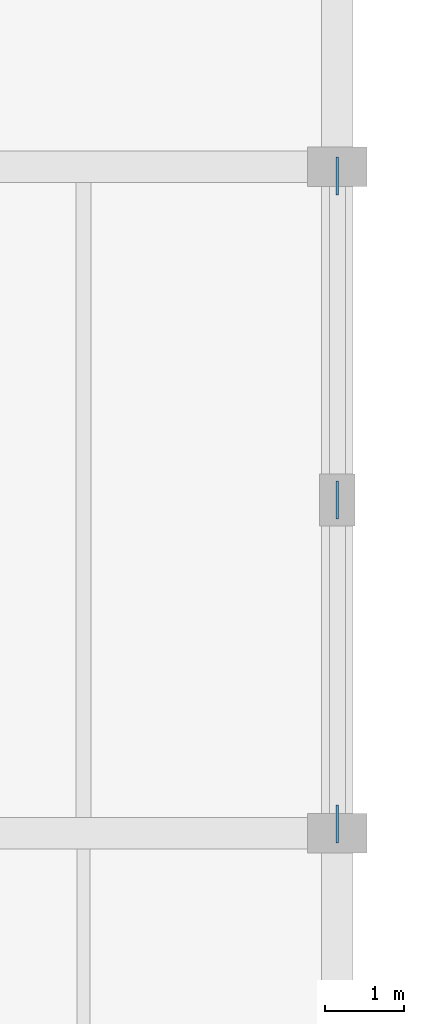
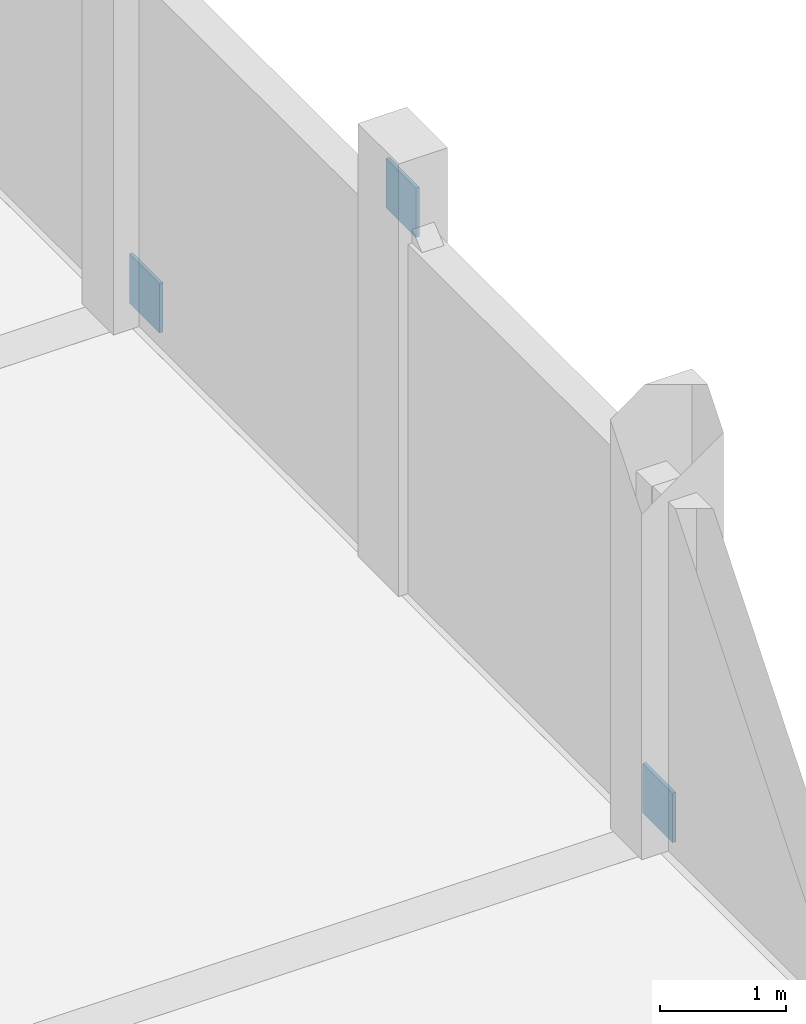
# One storey, part 34 of 57: 3 plates.
"""IFC4 building model written with IfcOpenShell, lengths in metres."""

from ifc_helpers import new_model, si_unit, direction, frame, origin, origin_2d, place, context, subcontext, project, spatial, rectangle, extrude, material, layer, layer_set, type_object, element, save


model = new_model("IFC4")

# Units and contexts
model_context = context("Model", 3, precision=1e-05, world=origin(), true_north=direction((0.0, 1.0)))
body_context = subcontext(model_context, "Body", "Model", "MODEL_VIEW")
ifc_project = project(units=[si_unit("LENGTHUNIT", "METRE"), si_unit("AREAUNIT", "SQUARE_METRE"), si_unit("VOLUMEUNIT", "CUBIC_METRE"), si_unit("PLANEANGLEUNIT", "RADIAN"), si_unit("MASSUNIT", "GRAM", prefix="KILO")], contexts=[model_context])

# Site, building, storey
site_placement = place(None, origin())
site = spatial("IfcSite", under=ifc_project, at=site_placement, CompositionType="ELEMENT")
building_placement = place(site_placement, origin())
building = spatial("IfcBuilding", under=site, at=building_placement, Name="Oolite Switchyard Hospital", CompositionType="ELEMENT")
storey_placement = place(building_placement, frame((0.0, 0.0, 17.800048828125)))
storey = spatial("IfcBuildingStorey", under=building, at=storey_placement, Name="L04", CompositionType="ELEMENT", Elevation=17.800048828125)

# Plates
ifc_material = material(Name="Steel ASTM A572 Grade 50", Category="steel")
ifc_layer = layer(ifc_material, 0.031982421875)
ifc_layer_set = layer_set([ifc_layer], Name="PLT-GUS-480")
plate_type = type_object("IfcPlateType", Name="PLT-GUS-480", PredefinedType="SHEET", material=ifc_layer_set)
for number, where, z_axis, x_axis, name in (
    (1, (211.199951171875, 33.719970703125, -0.0400390625), (0.0, 0.0, 1.0), (0.0, 1.0, 0.0), "L04 Brace Base Gusset Plate 118"),
    (2, (211.199951171875, 41.8798828125, -0.0400390625), (0.0, 0.0, 1.0), (0.0, 1.0, 0.0), "L04 Brace Base Gusset Plate 119"),
    (3, (211.199951171875, 37.800048828125, 3.35986328125), (0.0, 0.0, 1.0), (0.0, 1.0, 0.0), "L04 Gusset Connection Plate 120"),
):
    element("IfcPlate", number, at=place(storey_placement, frame(where, z_axis=z_axis, x_axis=x_axis)), inside=storey, type_object=plate_type, Name=name, PredefinedType="SHEET", context=body_context, shape_type="SweptSolid", body=[
        extrude(rectangle(XDim=0.47998046875, YDim=0.031982421875, at=origin_2d()), origin(), (0.0, 0.0, 1.0), 0.47998046875),
    ])

save(model, "model.ifc")
